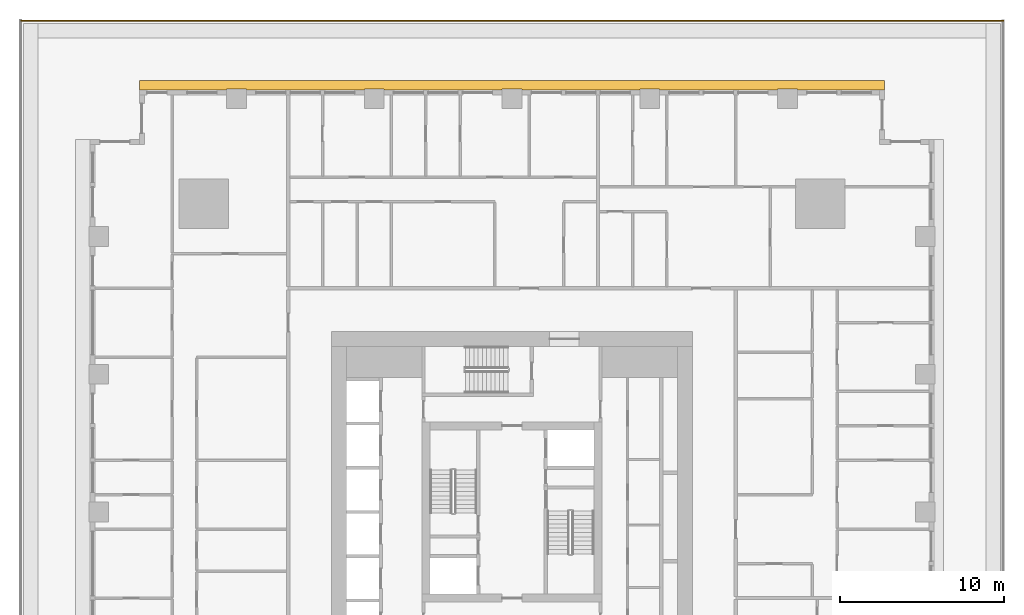
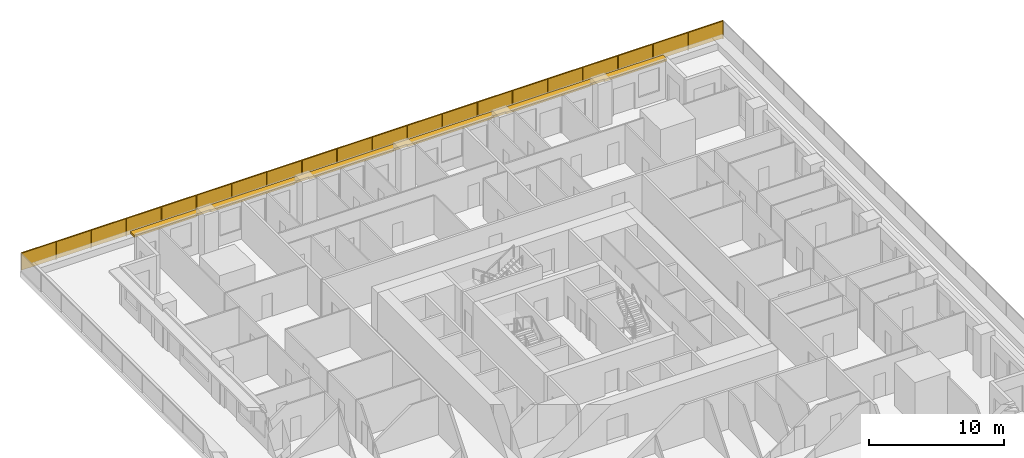
# One storey, part 16 of 16: 1 railing, 1 shading device.
"""IFC4 building model written with IfcOpenShell, lengths in metres."""

import ifcopenshell
import ifcopenshell.guid

model = None  # the IFC model being written
_history = None  # IfcOwnerHistory: only IFC2X3 demands one
_inside = {}  # id of a spatial element -> (the spatial element, [elements in it])
_under = {}  # id of a project, library or spatial element -> (it, [spatial elements below it])
_declared = {}  # id of a project -> (the project, [libraries it declares])
_typed = {}  # id of a type object -> (the type object, [elements of that type])
_made_of = {}  # id of a material, layer set ... -> (it, [elements and type objects made of it])


def new_model(schema):
    """Start an empty IFC model of exactly this schema.

    Asked for "IFC4X3", IfcOpenShell would pick the latest addendum, in which some entities
    have other attributes; the version numbers below select the first issue.
    IFC2X3 requires an IfcOwnerHistory on every rooted entity: one is made here for all.
    """
    global model, _history
    if schema == "IFC4X3":
        model = ifcopenshell.file(schema_version=(4, 3, 0, 0))
    else:
        model = ifcopenshell.file(schema=schema)
    _inside.clear()
    _under.clear()
    _declared.clear()
    _typed.clear()
    _made_of.clear()
    _history = None
    if model.schema == "IFC2X3":
        org = make("IfcOrganization", Name="unknown")
        user = make(
            "IfcPersonAndOrganization",
            ThePerson=make("IfcPerson", FamilyName="unknown"),
            TheOrganization=org,
        )
        app = make(
            "IfcApplication",
            ApplicationDeveloper=org,
            Version="unknown",
            ApplicationFullName="unknown",
            ApplicationIdentifier="unknown",
        )
        _history = make(
            "IfcOwnerHistory",
            OwningUser=user,
            OwningApplication=app,
            ChangeAction="ADDED",
            CreationDate=0,
        )
    return model


def make(cls, **values):
    """One entity of the class cls with the attributes given. An attribute that is None is left unset."""
    return model.create_entity(
        cls, **{name: value for name, value in values.items() if value is not None}
    )


def rooted(cls, **values):
    """An entity with a GlobalId (a new one), such as an element, a storey or a relation."""
    return make(cls, GlobalId=ifcopenshell.guid.new(), OwnerHistory=_history, **values)


def si_unit(unit_type, name, prefix=None):
    """IfcSIUnit, for example si_unit("LENGTHUNIT", "METRE", prefix="MILLI")."""
    return make("IfcSIUnit", UnitType=unit_type, Prefix=prefix, Name=name)


def assignment(units):
    """IfcUnitAssignment: the units of a project."""
    return None if units is None else make("IfcUnitAssignment", Units=units)


def point(xyz):
    """IfcCartesianPoint."""
    return None if xyz is None else make("IfcCartesianPoint", Coordinates=xyz)


def direction(xyz):
    """IfcDirection."""
    return None if xyz is None else make("IfcDirection", DirectionRatios=xyz)


def frame(location, z_axis=None, x_axis=None):
    """IfcAxis2Placement3D, a coordinate frame: its origin and axes. An axis left out is left unset."""
    return make(
        "IfcAxis2Placement3D",
        Location=point(location),
        Axis=direction(z_axis),
        RefDirection=direction(x_axis),
    )


def frame_2d(location, x_axis=None):
    """IfcAxis2Placement2D, a coordinate frame in the plane: its origin and x axis."""
    return make(
        "IfcAxis2Placement2D", Location=point(location), RefDirection=direction(x_axis)
    )


def origin():
    """The frame at (0, 0, 0) with its axes left unset."""
    return frame((0.0, 0.0, 0.0))


def origin_2d():
    """The frame at (0, 0) in the plane with its x axis left unset."""
    return frame_2d((0.0, 0.0))


def place(relative_to, where):
    """IfcLocalPlacement: puts the frame where relative to a parent placement (None: the world)."""
    return make(
        "IfcLocalPlacement", PlacementRelTo=relative_to, RelativePlacement=where
    )


def context(
    kind, dimensions, precision=None, world=None, true_north=None, identifier=None
):
    """IfcGeometricRepresentationContext, for example the 3D "Model" context."""
    return make(
        "IfcGeometricRepresentationContext",
        ContextIdentifier=identifier,
        ContextType=kind,
        CoordinateSpaceDimension=dimensions,
        Precision=precision,
        WorldCoordinateSystem=world,
        TrueNorth=true_north,
    )


def subcontext(parent, identifier, kind, view, scale=None):
    """IfcGeometricRepresentationSubContext, for example "Body" below "Model"."""
    return make(
        "IfcGeometricRepresentationSubContext",
        ContextIdentifier=identifier,
        ContextType=kind,
        ParentContext=parent,
        TargetScale=scale,
        TargetView=view,
    )


def project(units=None, contexts=None):
    """IfcProject with its units and contexts."""
    return rooted(
        "IfcProject",
        Name="project",
        RepresentationContexts=contexts,
        UnitsInContext=assignment(units),
    )


def spatial(cls, under=None, at=None, **own):
    """A site, building, storey or space (cls), placed at a placement, below another one or the project."""
    s = rooted(cls, ObjectPlacement=at, **own)
    if under is not None:
        _under.setdefault(under.id(), (under, []))[1].append(s)
    return s


def polyline(points):
    """IfcPolyline through the points."""
    return make("IfcPolyline", Points=[point(p) for p in points])


def profile(cls, at=None, kind="AREA", **sizes):
    """A parametric profile (cls). Its sizes go by their IFC names, for example OverallWidth=200.0."""
    return make(cls, ProfileType=kind, Position=at, **sizes)


def rectangle(**sizes):
    """IfcRectangleProfileDef."""
    return profile("IfcRectangleProfileDef", **sizes)


def outline(outer, holes=None, kind="AREA"):
    """IfcArbitraryClosedProfileDef: a profile drawn as a closed curve; with holes, ...WithVoids."""
    if holes is None:
        return make("IfcArbitraryClosedProfileDef", ProfileType=kind, OuterCurve=outer)
    return make(
        "IfcArbitraryProfileDefWithVoids",
        ProfileType=kind,
        OuterCurve=outer,
        InnerCurves=holes,
    )


def extrude(swept, where, along, depth):
    """IfcExtrudedAreaSolid: the profile swept, set in the frame where, extruded along a direction by depth."""
    return make(
        "IfcExtrudedAreaSolid",
        SweptArea=swept,
        Position=where,
        ExtrudedDirection=direction(along),
        Depth=depth,
    )


def shape(context_of_items, identifier, shape_type, items):
    """IfcShapeRepresentation: the items that make up one representation, for example the "Body"."""
    return make(
        "IfcShapeRepresentation",
        ContextOfItems=context_of_items,
        RepresentationIdentifier=identifier,
        RepresentationType=shape_type,
        Items=items,
    )


def material(Name=None, Category=None):
    """IfcMaterial."""
    return make("IfcMaterial", Name=Name, Category=Category)


def layer(
    of_material, thickness, ventilated=None, Name=None, Category=None, Priority=None
):
    """IfcMaterialLayer: one layer of a wall or slab, of a material (None: an air gap)."""
    return make(
        "IfcMaterialLayer",
        Material=of_material,
        LayerThickness=thickness,
        IsVentilated=ventilated,
        Name=Name,
        Category=Category,
        Priority=Priority,
    )


def layer_set(layers, Name=None):
    """IfcMaterialLayerSet."""
    return make("IfcMaterialLayerSet", MaterialLayers=layers, LayerSetName=Name)


def made_of(thing, what):
    """Note that an element or type object is made of a material, layer set ...; save() writes the relation."""
    if what is not None:
        _made_of.setdefault(what.id(), (what, []))[1].append(thing)
    return thing


def type_object(cls, material=None, **own):
    """A type object (cls), such as IfcWallType, which elements share."""
    return made_of(rooted(cls, **own), material)


def element(
    cls,
    number,
    at=None,
    inside=None,
    cuts=None,
    type_object=None,
    material=None,
    context=None,
    identifier="Body",
    shape_type=None,
    held_by="IfcProductDefinitionShape",
    body=None,
    shapes=None,
    **own,
):
    """One element of the class cls, such as IfcWall. Its Tag is "e" and its number.

    at: its placement. inside: the storey or other place that contains it. cuts: it is an
    opening in that element (IfcRelVoidsElement). A single representation is given by context,
    identifier, shape_type and body (its items); several are given by shapes. held_by: the class
    of the entity that holds the representations. save() writes the other relations.
    """
    e = rooted(cls, Tag="e%d" % number, ObjectPlacement=at, **own)
    if body is not None:
        shapes = [shape(context, identifier, shape_type, body)]
    if shapes is not None:
        e.Representation = make(held_by, Representations=shapes)
    if inside is not None:
        _inside.setdefault(inside.id(), (inside, []))[1].append(e)
    if cuts is not None:
        rooted(
            "IfcRelVoidsElement", RelatingBuildingElement=cuts, RelatedOpeningElement=e
        )
    if type_object is not None:
        _typed.setdefault(type_object.id(), (type_object, []))[1].append(e)
    return made_of(e, material)


def aggregate(whole, parts):
    """IfcRelAggregates: a whole, such as a stair, and the parts it consists of."""
    return rooted("IfcRelAggregates", RelatingObject=whole, RelatedObjects=parts)


def save(model, path):
    """Write the relations noted so far, then the file.

    IfcRelAggregates (storeys below a building ...), IfcRelContainedInSpatialStructure (elements
    in a storey), IfcRelDefinesByType, IfcRelAssociatesMaterial and IfcRelDeclares: one each for
    every whole, place, type object, material and project.
    """
    for whole, parts in _under.values():
        aggregate(whole, parts)
    for where, things in _inside.values():
        rooted(
            "IfcRelContainedInSpatialStructure",
            RelatedElements=things,
            RelatingStructure=where,
        )
    for kind, things in _typed.values():
        rooted("IfcRelDefinesByType", RelatedObjects=things, RelatingType=kind)
    for what, things in _made_of.values():
        rooted("IfcRelAssociatesMaterial", RelatedObjects=things, RelatingMaterial=what)
    for by, libraries in _declared.values():
        rooted("IfcRelDeclares", RelatingContext=by, RelatedDefinitions=libraries)
    model.write(path)


model = new_model("IFC4")

# Units and contexts
model_context = context("Model", 3, precision=1e-05, world=origin(), true_north=direction((0.0, 1.0)))
body_context = subcontext(model_context, "Body", "Model", "MODEL_VIEW")
ifc_project = project(units=[si_unit("LENGTHUNIT", "METRE"), si_unit("AREAUNIT", "SQUARE_METRE"), si_unit("VOLUMEUNIT", "CUBIC_METRE"), si_unit("PLANEANGLEUNIT", "RADIAN"), si_unit("MASSUNIT", "GRAM", prefix="KILO")], contexts=[model_context])

# Site, building, storey
site_placement = place(None, origin())
site = spatial("IfcSite", under=ifc_project, at=site_placement, CompositionType="ELEMENT")
building_placement = place(site_placement, origin())
building = spatial("IfcBuilding", under=site, at=building_placement, Name="Khepri Terraces", CompositionType="ELEMENT")
storey_placement = place(building_placement, frame((0.0, 0.0, 27.0)))
storey = spatial("IfcBuildingStorey", under=building, at=storey_placement, Name="L05", CompositionType="ELEMENT", Elevation=27.0)

# Railing
ifc_material_1 = material(Name="Stainless steel grade 316", Category="steel")
railing_type = type_object("IfcRailingType", Name="GRD-TERR-1700", PredefinedType="GUARDRAIL", material=ifc_material_1)
railing_placement = place(storey_placement, frame((-29.949951171875, 29.949951171875, 0.0)))
element("IfcRailing", 1, at=railing_placement, inside=storey, type_object=railing_type, Name="Terrace guard L05", PredefinedType="GUARDRAIL", context=body_context, shape_type="SweptSolid", body=[
    extrude(rectangle(XDim=0.050048828125, YDim=0.06005859375, at=origin_2d()), frame((0.0, 0.0, 1.669921875), z_axis=(1.0, 0.0, 0.0), x_axis=(0.0, 1.0, 0.0)), (0.0, 0.0, 1.0), 59.89990234375),
    extrude(rectangle(XDim=2.94482421875, YDim=0.011962890625, at=origin_2d()), frame((1.49755859375, 0.0, 0.10009765625), z_axis=(0.0, 0.0, 1.0), x_axis=(1.0, 0.0, 0.0)), (0.0, 0.0, 1.0), 1.539794921875),
    extrude(rectangle(XDim=2.94482421875, YDim=0.011962890625, at=origin_2d()), frame((4.492431640625, 0.0, 0.10009765625), z_axis=(0.0, 0.0, 1.0), x_axis=(1.0, 0.0, 0.0)), (0.0, 0.0, 1.0), 1.539794921875),
    extrude(rectangle(XDim=2.94482421875, YDim=0.011962890625, at=origin_2d()), frame((7.487548828125, 0.0, 0.10009765625), z_axis=(0.0, 0.0, 1.0), x_axis=(1.0, 0.0, 0.0)), (0.0, 0.0, 1.0), 1.539794921875),
    extrude(rectangle(XDim=2.94482421875, YDim=0.011962890625, at=origin_2d()), frame((10.482421875, 0.0, 0.10009765625), z_axis=(0.0, 0.0, 1.0), x_axis=(1.0, 0.0, 0.0)), (0.0, 0.0, 1.0), 1.539794921875),
    extrude(rectangle(XDim=2.94482421875, YDim=0.011962890625, at=origin_2d()), frame((13.4775390625, 0.0, 0.10009765625), z_axis=(0.0, 0.0, 1.0), x_axis=(1.0, 0.0, 0.0)), (0.0, 0.0, 1.0), 1.539794921875),
    extrude(rectangle(XDim=2.94482421875, YDim=0.011962890625, at=origin_2d()), frame((16.472412109375, 0.0, 0.10009765625), z_axis=(0.0, 0.0, 1.0), x_axis=(1.0, 0.0, 0.0)), (0.0, 0.0, 1.0), 1.539794921875),
    extrude(rectangle(XDim=2.94482421875, YDim=0.011962890625, at=origin_2d()), frame((19.467529296875, 0.0, 0.10009765625), z_axis=(0.0, 0.0, 1.0), x_axis=(1.0, 0.0, 0.0)), (0.0, 0.0, 1.0), 1.539794921875),
    extrude(rectangle(XDim=2.94482421875, YDim=0.011962890625, at=origin_2d()), frame((22.46240234375, 0.0, 0.10009765625), z_axis=(0.0, 0.0, 1.0), x_axis=(1.0, 0.0, 0.0)), (0.0, 0.0, 1.0), 1.539794921875),
    extrude(rectangle(XDim=2.94482421875, YDim=0.011962890625, at=origin_2d()), frame((25.45751953125, 0.0, 0.10009765625), z_axis=(0.0, 0.0, 1.0), x_axis=(1.0, 0.0, 0.0)), (0.0, 0.0, 1.0), 1.539794921875),
    extrude(rectangle(XDim=2.94482421875, YDim=0.011962890625, at=origin_2d()), frame((28.452392578125, 0.0, 0.10009765625), z_axis=(0.0, 0.0, 1.0), x_axis=(1.0, 0.0, 0.0)), (0.0, 0.0, 1.0), 1.539794921875),
    extrude(rectangle(XDim=2.94482421875, YDim=0.011962890625, at=origin_2d()), frame((31.447509765625, 0.0, 0.10009765625), z_axis=(0.0, 0.0, 1.0), x_axis=(1.0, 0.0, 0.0)), (0.0, 0.0, 1.0), 1.539794921875),
    extrude(rectangle(XDim=2.94482421875, YDim=0.011962890625, at=origin_2d()), frame((34.4423828125, 0.0, 0.10009765625), z_axis=(0.0, 0.0, 1.0), x_axis=(1.0, 0.0, 0.0)), (0.0, 0.0, 1.0), 1.539794921875),
    extrude(rectangle(XDim=2.94482421875, YDim=0.011962890625, at=origin_2d()), frame((37.4375, 0.0, 0.10009765625), z_axis=(0.0, 0.0, 1.0), x_axis=(1.0, 0.0, 0.0)), (0.0, 0.0, 1.0), 1.539794921875),
    extrude(rectangle(XDim=2.94482421875, YDim=0.011962890625, at=origin_2d()), frame((40.432373046875, 0.0, 0.10009765625), z_axis=(0.0, 0.0, 1.0), x_axis=(1.0, 0.0, 0.0)), (0.0, 0.0, 1.0), 1.539794921875),
    extrude(rectangle(XDim=2.94482421875, YDim=0.011962890625, at=origin_2d()), frame((43.427490234375, 0.0, 0.10009765625), z_axis=(0.0, 0.0, 1.0), x_axis=(1.0, 0.0, 0.0)), (0.0, 0.0, 1.0), 1.539794921875),
    extrude(rectangle(XDim=2.94482421875, YDim=0.011962890625, at=origin_2d()), frame((46.42236328125, 0.0, 0.10009765625), z_axis=(0.0, 0.0, 1.0), x_axis=(1.0, 0.0, 0.0)), (0.0, 0.0, 1.0), 1.539794921875),
    extrude(rectangle(XDim=2.94482421875, YDim=0.011962890625, at=origin_2d()), frame((49.41748046875, 0.0, 0.10009765625), z_axis=(0.0, 0.0, 1.0), x_axis=(1.0, 0.0, 0.0)), (0.0, 0.0, 1.0), 1.539794921875),
    extrude(rectangle(XDim=2.94482421875, YDim=0.011962890625, at=origin_2d()), frame((52.412353515625, 0.0, 0.10009765625), z_axis=(0.0, 0.0, 1.0), x_axis=(1.0, 0.0, 0.0)), (0.0, 0.0, 1.0), 1.539794921875),
    extrude(rectangle(XDim=2.94482421875, YDim=0.011962890625, at=origin_2d()), frame((55.407470703125, 0.0, 0.10009765625), z_axis=(0.0, 0.0, 1.0), x_axis=(1.0, 0.0, 0.0)), (0.0, 0.0, 1.0), 1.539794921875),
    extrude(rectangle(XDim=2.94482421875, YDim=0.011962890625, at=origin_2d()), frame((58.40234375, 0.0, 0.10009765625), z_axis=(0.0, 0.0, 1.0), x_axis=(1.0, 0.0, 0.0)), (0.0, 0.0, 1.0), 1.539794921875),
    extrude(rectangle(XDim=0.050048828125, YDim=0.050048828125, at=origin_2d()), frame((2.9951171875, 0.0, 0.0)), (0.0, 0.0, 1.0), 1.639892578125),
    extrude(rectangle(XDim=0.050048828125, YDim=0.050048828125, at=origin_2d()), frame((5.989990234375, 0.0, 0.0)), (0.0, 0.0, 1.0), 1.639892578125),
    extrude(rectangle(XDim=0.050048828125, YDim=0.050048828125, at=origin_2d()), frame((8.98486328125, 0.0, 0.0)), (0.0, 0.0, 1.0), 1.639892578125),
    extrude(rectangle(XDim=0.050048828125, YDim=0.050048828125, at=origin_2d()), frame((11.97998046875, 0.0, 0.0)), (0.0, 0.0, 1.0), 1.639892578125),
    extrude(rectangle(XDim=0.050048828125, YDim=0.050048828125, at=origin_2d()), frame((14.97509765625, 0.0, 0.0)), (0.0, 0.0, 1.0), 1.639892578125),
    extrude(rectangle(XDim=0.050048828125, YDim=0.050048828125, at=origin_2d()), frame((17.969970703125, 0.0, 0.0)), (0.0, 0.0, 1.0), 1.639892578125),
    extrude(rectangle(XDim=0.050048828125, YDim=0.050048828125, at=origin_2d()), frame((20.96484375, 0.0, 0.0)), (0.0, 0.0, 1.0), 1.639892578125),
    extrude(rectangle(XDim=0.050048828125, YDim=0.050048828125, at=origin_2d()), frame((23.9599609375, 0.0, 0.0)), (0.0, 0.0, 1.0), 1.639892578125),
    extrude(rectangle(XDim=0.050048828125, YDim=0.050048828125, at=origin_2d()), frame((26.955078125, 0.0, 0.0)), (0.0, 0.0, 1.0), 1.639892578125),
    extrude(rectangle(XDim=0.050048828125, YDim=0.050048828125, at=origin_2d()), frame((29.949951171875, 0.0, 0.0)), (0.0, 0.0, 1.0), 1.639892578125),
    extrude(rectangle(XDim=0.050048828125, YDim=0.050048828125, at=origin_2d()), frame((32.94482421875, 0.0, 0.0)), (0.0, 0.0, 1.0), 1.639892578125),
    extrude(rectangle(XDim=0.050048828125, YDim=0.050048828125, at=origin_2d()), frame((35.93994140625, 0.0, 0.0)), (0.0, 0.0, 1.0), 1.639892578125),
    extrude(rectangle(XDim=0.050048828125, YDim=0.050048828125, at=origin_2d()), frame((38.93505859375, 0.0, 0.0)), (0.0, 0.0, 1.0), 1.639892578125),
    extrude(rectangle(XDim=0.050048828125, YDim=0.050048828125, at=origin_2d()), frame((41.929931640625, 0.0, 0.0)), (0.0, 0.0, 1.0), 1.639892578125),
    extrude(rectangle(XDim=0.050048828125, YDim=0.050048828125, at=origin_2d()), frame((44.9248046875, 0.0, 0.0)), (0.0, 0.0, 1.0), 1.639892578125),
    extrude(rectangle(XDim=0.050048828125, YDim=0.050048828125, at=origin_2d()), frame((47.919921875, 0.0, 0.0)), (0.0, 0.0, 1.0), 1.639892578125),
    extrude(rectangle(XDim=0.050048828125, YDim=0.050048828125, at=origin_2d()), frame((50.9150390625, 0.0, 0.0)), (0.0, 0.0, 1.0), 1.639892578125),
    extrude(rectangle(XDim=0.050048828125, YDim=0.050048828125, at=origin_2d()), frame((53.909912109375, 0.0, 0.0)), (0.0, 0.0, 1.0), 1.639892578125),
    extrude(rectangle(XDim=0.050048828125, YDim=0.050048828125, at=origin_2d()), frame((56.90478515625, 0.0, 0.0)), (0.0, 0.0, 1.0), 1.639892578125),
    extrude(rectangle(XDim=0.050048828125, YDim=0.050048828125, at=origin_2d()), frame((59.89990234375, 0.0, 0.0)), (0.0, 0.0, 1.0), 1.639892578125),
])

# Shading device
ifc_material_2 = material(Name="Precast concrete C50/60 warm stone", Category="masonry")
ifc_layer = layer(ifc_material_2, 0.199951171875, Name="Precast concrete C50/60 warm stone", Category="masonry")
ifc_layer_set = layer_set([ifc_layer], Name="Precast concrete C50/60 warm stone")
shading_device_type = type_object("IfcShadingDeviceType", Name="SSH-BAND-STONE-200-N", PredefinedType="USERDEFINED", material=ifc_layer_set)
shading_device_placement = place(storey_placement, frame((0.0, 0.0, 3.10009765625)))
element("IfcShadingDevice", 2, at=shading_device_placement, inside=storey, type_object=shading_device_type, Name="Sunshade band L05 N", ObjectType="SUNSHADE", PredefinedType="USERDEFINED", context=body_context, shape_type="SweptSolid", body=[
    extrude(outline(polyline([(17.39990234375, 25.719970703125), (22.719970703125, 25.719970703125), (22.719970703125, 26.320068359375), (-22.719970703125, 26.320068359375), (-22.719970703125, 25.719970703125), (-17.39990234375, 25.719970703125), (-17.39990234375, 25.800048828125), (-16.199951171875, 25.800048828125), (-16.199951171875, 25.719970703125), (-9.0, 25.719970703125), (-9.0, 25.800048828125), (-7.800048828125, 25.800048828125), (-7.800048828125, 25.719970703125), (-0.60009765625, 25.719970703125), (-0.60009765625, 25.800048828125), (0.60009765625, 25.800048828125), (0.60009765625, 25.719970703125), (7.800048828125, 25.719970703125), (7.800048828125, 25.800048828125), (9.0, 25.800048828125), (9.0, 25.719970703125), (16.199951171875, 25.719970703125), (16.199951171875, 25.800048828125), (17.39990234375, 25.800048828125), (17.39990234375, 25.719970703125)])), origin(), (0.0, 0.0, 1.0), 0.199951171875),
])

save(model, "model.ifc")
